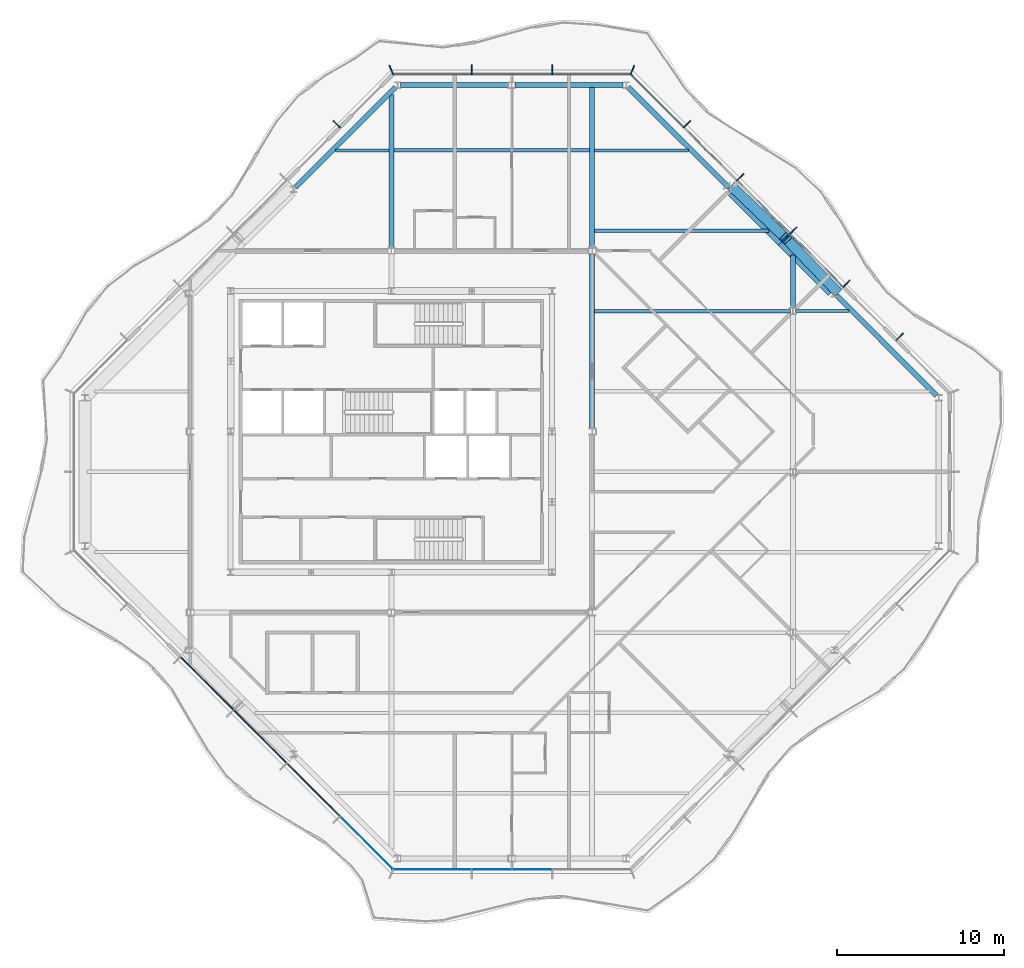
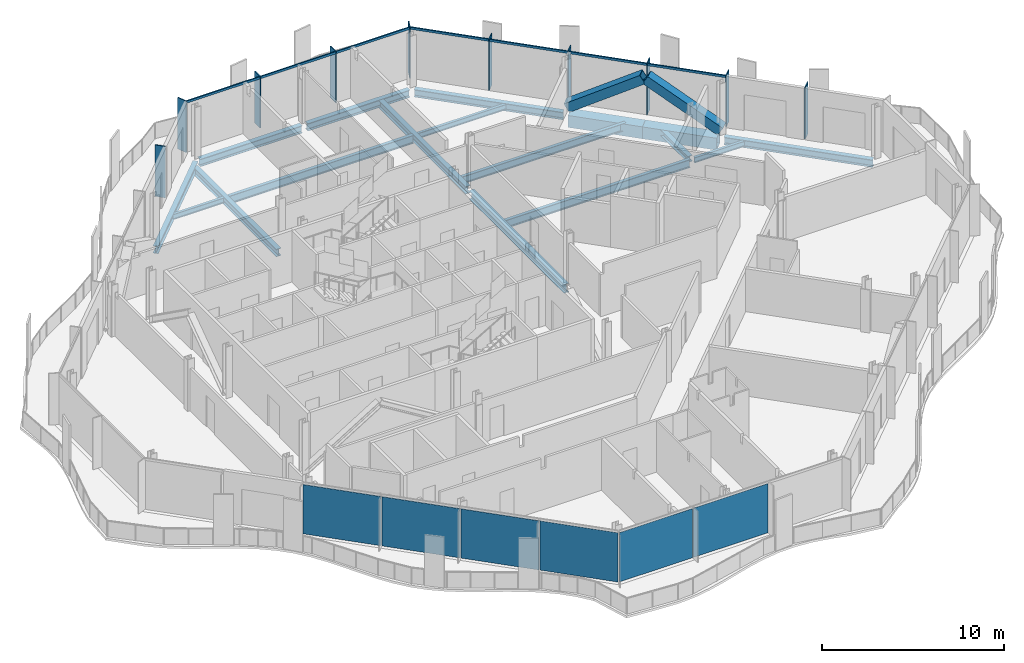
# One storey, part 5 of 16: 19 members, 17 beams, 6 plates, 5 elements without a shape of their own.
"""IFC4 building model written with IfcOpenShell, lengths in metres."""

from ifc_helpers import new_model, si_unit, direction, frame, origin, origin_2d, place, context, subcontext, project, spatial, rectangle, hollow_rectangle, i_section, extrude, material, layer, layer_set, material_profile, profile_set, type_object, element, aggregate, save


model = new_model("IFC4")

# Units and contexts
model_context = context("Model", 3, precision=1e-05, world=origin(), true_north=direction((0.0, 1.0)))
body_context = subcontext(model_context, "Body", "Model", "MODEL_VIEW")
ifc_project = project(units=[si_unit("LENGTHUNIT", "METRE"), si_unit("AREAUNIT", "SQUARE_METRE"), si_unit("VOLUMEUNIT", "CUBIC_METRE"), si_unit("PLANEANGLEUNIT", "RADIAN"), si_unit("MASSUNIT", "GRAM", prefix="KILO")], contexts=[model_context])

# Site, building, storey
site_placement = place(None, origin())
site = spatial("IfcSite", under=ifc_project, at=site_placement, CompositionType="ELEMENT")
building_placement = place(site_placement, origin())
building = spatial("IfcBuilding", under=site, at=building_placement, Name="Cairn Pilgrim Tower", CompositionType="ELEMENT")
storey_placement = place(building_placement, frame((0.0, 0.0, 285.0)))
storey = spatial("IfcBuildingStorey", under=building, at=storey_placement, Name="L73", CompositionType="ELEMENT", Elevation=285.0)

# Members
ifc_material_1 = material(Name="Structural steel S460M", Category="steel")
ifc_material_profile_1 = material_profile(ifc_material_1, hollow_rectangle(XDim=0.60009765625, YDim=0.60009765625, WallThickness=0.034912109375, at=origin_2d()), Name="BOX 600x600x35")
ifc_profile_set_1 = profile_set([ifc_material_profile_1], Name="Structural steel S460M")
member_type_1 = type_object("IfcMemberType", Name="BOX 600x600x35 BRACE", PredefinedType="BRACE", material=ifc_profile_set_1)
for number, where, z_axis, x_axis, name in (
    (1, (33.78759765625, 10.80224609375, 0.14990234375), (-0.59143769276, 0.613678385942, 0.52306815446), (-0.720033989027, -0.693938797478, 0.0), "XB-NE2-NE3-1"),
    (2, (27.602294921875, 16.98779296875, 0.14990234375), (0.613660799233, -0.591469196702, 0.523053164447), (0.693968270733, 0.720005582767, 0.0), "XB-NE2-NE3-2"),
):
    element("IfcMember", number, at=place(storey_placement, frame(where, z_axis=z_axis, x_axis=x_axis)), inside=storey, type_object=member_type_1, Name=name, PredefinedType="BRACE", context=body_context, shape_type="SweptSolid", body=[
        extrude(hollow_rectangle(XDim=0.60009765625, YDim=0.60009765625, WallThickness=0.034912109375, at=origin_2d()), origin(), (0.0, 0.0, 1.0), 5.03857421875),
    ])

# Beams
ifc_material_2 = material(Name="Structural steel S355J2", Category="steel")
ifc_material_profile_2 = material_profile(ifc_material_2, hollow_rectangle(XDim=0.699951171875, YDim=0.800048828125, WallThickness=0.0400390625, at=origin_2d()), Name="BOX 700x800x40")
ifc_profile_set_2 = profile_set([ifc_material_profile_2], Name="Structural steel S355J2")
beam_type_1 = type_object("IfcBeamType", Name="BOX 700x800x40 RING GIRDER", PredefinedType="SPANDREL", material=ifc_profile_set_2)
for number, where, z_axis, x_axis, name in (
    (3, (33.55126953125, 10.77587890625, -0.550048828125), (-0.707077889614, 0.707135671578, 0.0), (-0.707135671578, -0.707077889614, 0.0), "RG4-NE2-NE3-1"),
    (4, (30.563720703125, 13.763671875, -0.550048828125), (-0.707135671578, 0.707077889614, 0.0), (-0.707077889614, -0.707135671578, 0.0), "RG4-NE2-NE3-2"),
):
    element("IfcBeam", number, at=place(storey_placement, frame(where, z_axis=z_axis, x_axis=x_axis)), inside=storey, type_object=beam_type_1, Name=name, PredefinedType="SPANDREL", context=body_context, shape_type="SweptSolid", body=[
        extrude(hollow_rectangle(XDim=0.699951171875, YDim=0.800048828125, WallThickness=0.0400390625, at=origin_2d()), origin(), (0.0, 0.0, 1.0), 4.22509765625),
    ])

# Curtain wall, members
ifc_material_3 = material(Name="Aluminium alloy 6063-T6 bronze anodised with Bronze tinted laminated low-E glass 8+16+8.8", Category="aluminium")
curtain_wall_type = type_object("IfcCurtainWallType", Name="CROWN CURTAIN WALL", PredefinedType="NOTDEFINED", material=ifc_material_3)
curtain_wall_1_placement = place(storey_placement, origin())
curtain_wall_1 = element("IfcCurtainWall", 5, at=curtain_wall_1_placement, inside=storey, type_object=curtain_wall_type, Name="Crown Curtain Wall NE", PredefinedType="NOTDEFINED")
ifc_material_4 = material(Name="Aluminium alloy 6063-T6 bronze anodised", Category="aluminium")
ifc_material_profile_3 = material_profile(ifc_material_4, rectangle(XDim=0.60009765625, YDim=0.06005859375, at=origin_2d()), Name="FIN MULLION 60x600 BRONZE")
ifc_profile_set_3 = profile_set([ifc_material_profile_3], Name="Aluminium alloy 6063-T6 bronze anodised")
member_type_2 = type_object("IfcMemberType", Name="FIN MULLION 60x600 BRONZE", PredefinedType="MULLION", material=ifc_profile_set_3)
member_1_placement = place(storey_placement, frame((37.5654296875, 8.06298828125, 0.0), z_axis=(0.0, 0.0, 1.0), x_axis=(0.707106781187, 0.707106781187, 0.0)))
member_1 = element("IfcMember", 6, at=member_1_placement, type_object=member_type_2, Name="Fin mullion NE2", PredefinedType="MULLION", context=body_context, shape_type="SweptSolid", body=[
    extrude(rectangle(XDim=0.60009765625, YDim=0.06005859375, at=origin_2d()), origin(), (0.0, 0.0, 1.0), 3.449951171875),
])
member_2_placement = place(storey_placement, frame((34.3896484375, 11.238525390625, 0.0), z_axis=(0.0, 0.0, 1.0), x_axis=(0.707106781187, 0.707106781187, 0.0)))
member_2 = element("IfcMember", 7, at=member_2_placement, type_object=member_type_2, Name="Fin mullion NE3", PredefinedType="MULLION", context=body_context, shape_type="SweptSolid", body=[
    extrude(rectangle(XDim=0.60009765625, YDim=0.06005859375, at=origin_2d()), origin(), (0.0, 0.0, 1.0), 3.449951171875),
])
member_3_placement = place(storey_placement, frame((31.214111328125, 14.4140625, 0.0), z_axis=(0.0, 0.0, 1.0), x_axis=(0.707106781187, 0.707106781187, 0.0)))
member_3 = element("IfcMember", 8, at=member_3_placement, type_object=member_type_2, Name="Fin mullion NE4", PredefinedType="MULLION", context=body_context, shape_type="SweptSolid", body=[
    extrude(rectangle(XDim=0.60009765625, YDim=0.06005859375, at=origin_2d()), origin(), (0.0, 0.0, 1.0), 3.449951171875),
])
member_4_placement = place(storey_placement, frame((28.03857421875, 17.58984375, 0.0), z_axis=(0.0, 0.0, 1.0), x_axis=(0.707106781187, 0.707106781187, 0.0)))
member_4 = element("IfcMember", 9, at=member_4_placement, type_object=member_type_2, Name="Fin mullion NE5", PredefinedType="MULLION", context=body_context, shape_type="SweptSolid", body=[
    extrude(rectangle(XDim=0.60009765625, YDim=0.06005859375, at=origin_2d()), origin(), (0.0, 0.0, 1.0), 3.449951171875),
])
member_5_placement = place(storey_placement, frame((24.863037109375, 20.765380859375, 0.0), z_axis=(0.0, 0.0, 1.0), x_axis=(0.707106781187, 0.707106781187, 0.0)))
member_5 = element("IfcMember", 10, at=member_5_placement, type_object=member_type_2, Name="Fin mullion NE6", PredefinedType="MULLION", context=body_context, shape_type="SweptSolid", body=[
    extrude(rectangle(XDim=0.60009765625, YDim=0.06005859375, at=origin_2d()), origin(), (0.0, 0.0, 1.0), 3.449951171875),
])

curtain_wall_2_placement = place(storey_placement, origin())
curtain_wall_2 = element("IfcCurtainWall", 11, at=curtain_wall_2_placement, inside=storey, type_object=curtain_wall_type, Name="Crown Curtain Wall N", PredefinedType="NOTDEFINED")
member_6_placement = place(storey_placement, frame((21.599853515625, 23.99951171875, 0.0), z_axis=(0.0, 0.0, 1.0), x_axis=(0.382683432365, 0.923879532511, 0.0)))
member_6 = element("IfcMember", 12, at=member_6_placement, type_object=member_type_2, Name="Fin mullion N1", PredefinedType="MULLION", context=body_context, shape_type="SweptSolid", body=[
    extrude(rectangle(XDim=0.60009765625, YDim=0.06005859375, at=origin_2d()), origin(), (0.0, 0.0, 1.0), 3.449951171875),
])
member_7_placement = place(storey_placement, frame((16.800048828125, 24.02001953125, 0.0), z_axis=(0.0, 0.0, 1.0), x_axis=(0.0, 1.0, 0.0)))
member_7 = element("IfcMember", 13, at=member_7_placement, type_object=member_type_2, Name="Fin mullion N2", PredefinedType="MULLION", context=body_context, shape_type="SweptSolid", body=[
    extrude(rectangle(XDim=0.60009765625, YDim=0.06005859375, at=origin_2d()), origin(), (0.0, 0.0, 1.0), 3.449951171875),
])
member_8_placement = place(storey_placement, frame((12.0, 24.02001953125, 0.0), z_axis=(0.0, 0.0, 1.0), x_axis=(0.0, 1.0, 0.0)))
member_8 = element("IfcMember", 14, at=member_8_placement, type_object=member_type_2, Name="Fin mullion N3", PredefinedType="MULLION", context=body_context, shape_type="SweptSolid", body=[
    extrude(rectangle(XDim=0.60009765625, YDim=0.06005859375, at=origin_2d()), origin(), (0.0, 0.0, 1.0), 3.449951171875),
])

curtain_wall_3_placement = place(storey_placement, origin())
curtain_wall_3 = element("IfcCurtainWall", 15, at=curtain_wall_3_placement, inside=storey, type_object=curtain_wall_type, Name="Crown Curtain Wall NW", PredefinedType="NOTDEFINED")
member_9_placement = place(storey_placement, frame((7.2001953125, 23.99951171875, 0.0), z_axis=(0.0, 0.0, 1.0), x_axis=(-0.382683432365, 0.923879532511, 0.0)))
member_9 = element("IfcMember", 16, at=member_9_placement, type_object=member_type_2, Name="Fin mullion NW1", PredefinedType="MULLION", context=body_context, shape_type="SweptSolid", body=[
    extrude(rectangle(XDim=0.60009765625, YDim=0.06005859375, at=origin_2d()), origin(), (0.0, 0.0, 1.0), 3.449951171875),
])
member_10_placement = place(storey_placement, frame((3.93701171875, 20.765380859375, 0.0), z_axis=(0.0, 0.0, 1.0), x_axis=(-0.707106781187, 0.707106781187, 0.0)))
member_10 = element("IfcMember", 17, at=member_10_placement, type_object=member_type_2, Name="Fin mullion NW2", PredefinedType="MULLION", context=body_context, shape_type="SweptSolid", body=[
    extrude(rectangle(XDim=0.60009765625, YDim=0.06005859375, at=origin_2d()), origin(), (0.0, 0.0, 1.0), 3.449951171875),
])
aggregate(curtain_wall_3, [member_9, member_10])

# Beams
ifc_material_profile_4 = material_profile(ifc_material_2, i_section(OverallWidth=0.300048828125, OverallDepth=0.39990234375, WebThickness=0.013427734375, FlangeThickness=0.02392578125, FilletRadius=0.027099609375, at=origin_2d()), Name="HEB 400")
ifc_profile_set_4 = profile_set([ifc_material_profile_4], Name="Structural steel S355J2")
beam_type_2 = type_object("IfcBeamType", Name="HEB 400 GIRDER", PredefinedType="BEAM", material=ifc_profile_set_4)
beam_1_placement = place(storey_placement, frame((31.199951171875, 9.797119140625, -0.35009765625), z_axis=(0.0, 1.0, 0.0), x_axis=(-1.0, 0.0, 0.0)))
element("IfcBeam", 18, at=beam_1_placement, inside=storey, type_object=beam_type_2, Name="PG5-4", PredefinedType="BEAM", context=body_context, shape_type="SweptSolid", body=[
    extrude(i_section(OverallWidth=0.300048828125, OverallDepth=0.39990234375, WebThickness=0.013427734375, FlangeThickness=0.02392578125, FilletRadius=0.027099609375, at=origin_2d()), origin(), (0.0, 0.0, 1.0), 3.14794921875),
])
ifc_material_profile_5 = material_profile(ifc_material_2, i_section(OverallWidth=0.300048828125, OverallDepth=0.5, WebThickness=0.014404296875, FlangeThickness=0.028076171875, FilletRadius=0.027099609375, at=origin_2d()), Name="HEB 500")
ifc_profile_set_5 = profile_set([ifc_material_profile_5], Name="Structural steel S355J2")
beam_type_3 = type_object("IfcBeamType", Name="HEB 500 GIRDER", PredefinedType="BEAM", material=ifc_profile_set_5)
beam_2_placement = place(storey_placement, frame((7.199951171875, 13.39697265625, -0.39990234375), z_axis=(0.0, 1.0, 0.0), x_axis=(-1.0, 0.0, 0.0)))
element("IfcBeam", 19, at=beam_2_placement, inside=storey, type_object=beam_type_3, Name="PG3-2", PredefinedType="BEAM", context=body_context, shape_type="SweptSolid", body=[
    extrude(i_section(OverallWidth=0.300048828125, OverallDepth=0.5, WebThickness=0.014404296875, FlangeThickness=0.028076171875, FilletRadius=0.027099609375, at=origin_2d()), origin(), (0.0, 0.0, 1.0), 9.148193359375),
])
beam_3_placement = place(storey_placement, frame((19.199951171875, 13.39697265625, -0.39990234375), z_axis=(0.0, 1.0, 0.0), x_axis=(-1.0, 0.0, 0.0)))
element("IfcBeam", 20, at=beam_3_placement, inside=storey, type_object=beam_type_3, Name="PG4-4", PredefinedType="BEAM", context=body_context, shape_type="SweptSolid", body=[
    extrude(i_section(OverallWidth=0.300048828125, OverallDepth=0.5, WebThickness=0.014404296875, FlangeThickness=0.028076171875, FilletRadius=0.027099609375, at=origin_2d()), origin(), (0.0, 0.0, 1.0), 9.5830078125),
])
ifc_material_profile_6 = material_profile(ifc_material_2, i_section(OverallWidth=0.300048828125, OverallDepth=0.5, WebThickness=0.014404296875, FlangeThickness=0.028076171875, FilletRadius=0.027099609375, at=origin_2d()), Name="HEB 500")
ifc_profile_set_6 = profile_set([ifc_material_profile_6], Name="Structural steel S355J2")
beam_type_4 = type_object("IfcBeamType", Name="HEB 500 RING GIRDER", PredefinedType="SPANDREL", material=ifc_profile_set_6)
for number, where, z_axis, x_axis, name in (
    (21, (39.775634765625, 4.551513671875, -0.39990234375), (-0.707092335843, 0.707121226235, 0.0), (-0.707121226235, -0.707092335843, 0.0), "RG4-NE1-NE2"),
    (22, (27.3271484375, 17.000244140625, -0.39990234375), (-0.707121226235, 0.707092335843, 0.0), (-0.707092335843, -0.707121226235, 0.0), "RG4-NE3-N1"),
):
    element("IfcBeam", number, at=place(storey_placement, frame(where, z_axis=z_axis, x_axis=x_axis)), inside=storey, type_object=beam_type_4, Name=name, PredefinedType="SPANDREL", context=body_context, shape_type="SweptSolid", body=[
        extrude(i_section(OverallWidth=0.300048828125, OverallDepth=0.5, WebThickness=0.014404296875, FlangeThickness=0.028076171875, FilletRadius=0.027099609375, at=origin_2d()), origin(), (0.0, 0.0, 1.0), 8.45068359375),
    ])
for number, where, z_axis, x_axis, name in (
    (23, (21.05126953125, 23.10009765625, -0.39990234375), (-1.0, 0.0, 0.0), (0.0, -1.0, 0.0), "RG4-N1-N2"),
    (24, (14.22412109375, 23.10009765625, -0.39990234375), (-1.0, 0.0, 0.0), (0.0, -1.0, 0.0), "RG4-N2-NW1"),
):
    element("IfcBeam", number, at=place(storey_placement, frame(where, z_axis=z_axis, x_axis=x_axis)), inside=storey, type_object=beam_type_4, Name=name, PredefinedType="SPANDREL", context=body_context, shape_type="SweptSolid", body=[
        extrude(i_section(OverallWidth=0.300048828125, OverallDepth=0.5, WebThickness=0.014404296875, FlangeThickness=0.028076171875, FilletRadius=0.027099609375, at=origin_2d()), origin(), (0.0, 0.0, 1.0), 6.475341796875),
    ])
beam_4_placement = place(storey_placement, frame((7.448486328125, 22.9755859375, -0.39990234375), z_axis=(-0.707121226235, -0.707092335843, 0.0), x_axis=(0.707092335843, -0.707121226235, 0.0)))
element("IfcBeam", 25, at=beam_4_placement, inside=storey, type_object=beam_type_4, Name="RG4-NW1-NW2", PredefinedType="SPANDREL", context=body_context, shape_type="SweptSolid", body=[
    extrude(i_section(OverallWidth=0.300048828125, OverallDepth=0.5, WebThickness=0.014404296875, FlangeThickness=0.028076171875, FilletRadius=0.027099609375, at=origin_2d()), origin(), (0.0, 0.0, 1.0), 8.45068359375),
])
ifc_material_profile_7 = material_profile(ifc_material_2, i_section(OverallWidth=0.300048828125, OverallDepth=0.60009765625, WebThickness=0.015380859375, FlangeThickness=0.030029296875, FilletRadius=0.027099609375, at=origin_2d()), Name="HEB 600")
ifc_profile_set_7 = profile_set([ifc_material_profile_7], Name="Structural steel S355J2")
beam_type_5 = type_object("IfcBeamType", Name="HEB 600 GIRDER", PredefinedType="BEAM", material=ifc_profile_set_7)
beam_5_placement = place(storey_placement, frame((19.199951171875, 2.596923828125, -0.449951171875), z_axis=(0.0, 1.0, 0.0), x_axis=(-1.0, 0.0, 0.0)))
element("IfcBeam", 26, at=beam_5_placement, inside=storey, type_object=beam_type_5, Name="PG4-3", PredefinedType="BEAM", context=body_context, shape_type="SweptSolid", body=[
    extrude(i_section(OverallWidth=0.300048828125, OverallDepth=0.60009765625, WebThickness=0.015380859375, FlangeThickness=0.030029296875, FilletRadius=0.027099609375, at=origin_2d()), origin(), (0.0, 0.0, 1.0), 10.406005859375),
])
ifc_material_profile_8 = material_profile(ifc_material_2, i_section(OverallWidth=0.169921875, OverallDepth=0.360107421875, WebThickness=0.008056640625, FlangeThickness=0.0126953125, FilletRadius=0.01806640625, at=origin_2d()), Name="IPE 360")
ifc_profile_set_8 = profile_set([ifc_material_profile_8], Name="Structural steel S355J2")
beam_type_6 = type_object("IfcBeamType", Name="IPE 360 SECONDARY BEAM", PredefinedType="JOIST", material=ifc_profile_set_8)
for number, where, z_axis, x_axis, name in (
    (27, (31.35009765625, 9.60009765625, -0.330078125), (1.0, 0.0, 0.0), (0.0, 1.0, 0.0), "SB7-2"),
    (28, (3.85498046875, 19.199951171875, -0.330078125), (1.0, 0.0, 0.0), (0.0, 1.0, 0.0), "SB9-1"),
):
    element("IfcBeam", number, at=place(storey_placement, frame(where, z_axis=z_axis, x_axis=x_axis)), inside=storey, type_object=beam_type_6, Name=name, PredefinedType="JOIST", context=body_context, shape_type="SweptSolid", body=[
        extrude(i_section(OverallWidth=0.169921875, OverallDepth=0.360107421875, WebThickness=0.008056640625, FlangeThickness=0.0126953125, FilletRadius=0.01806640625, at=origin_2d()), origin(), (0.0, 0.0, 1.0), 3.195068359375),
    ])
beam_6_placement = place(storey_placement, frame((19.35009765625, 19.199951171875, -0.330078125), z_axis=(1.0, 0.0, 0.0), x_axis=(0.0, 1.0, 0.0)))
element("IfcBeam", 29, at=beam_6_placement, inside=storey, type_object=beam_type_6, Name="SB9-3", PredefinedType="JOIST", context=body_context, shape_type="SweptSolid", body=[
    extrude(i_section(OverallWidth=0.169921875, OverallDepth=0.360107421875, WebThickness=0.008056640625, FlangeThickness=0.0126953125, FilletRadius=0.01806640625, at=origin_2d()), origin(), (0.0, 0.0, 1.0), 5.594970703125),
])
ifc_material_profile_9 = material_profile(ifc_material_2, i_section(OverallWidth=0.199951171875, OverallDepth=0.5, WebThickness=0.01025390625, FlangeThickness=0.01611328125, FilletRadius=0.02099609375, at=origin_2d()), Name="IPE 500")
ifc_profile_set_9 = profile_set([ifc_material_profile_9], Name="Structural steel S355J2")
beam_type_7 = type_object("IfcBeamType", Name="IPE 500 SECONDARY BEAM", PredefinedType="JOIST", material=ifc_profile_set_9)
beam_7_placement = place(storey_placement, frame((19.35009765625, 14.39990234375, -0.39990234375), z_axis=(1.0, 0.0, 0.0), x_axis=(0.0, 1.0, 0.0)))
element("IfcBeam", 30, at=beam_7_placement, inside=storey, type_object=beam_type_7, Name="SB8-1", PredefinedType="JOIST", context=body_context, shape_type="SweptSolid", body=[
    extrude(i_section(OverallWidth=0.199951171875, OverallDepth=0.5, WebThickness=0.01025390625, FlangeThickness=0.01611328125, FilletRadius=0.02099609375, at=origin_2d()), origin(), (0.0, 0.0, 1.0), 10.39501953125),
])
ifc_material_profile_10 = material_profile(ifc_material_2, i_section(OverallWidth=0.2099609375, OverallDepth=0.550048828125, WebThickness=0.010986328125, FlangeThickness=0.01708984375, FilletRadius=0.02392578125, at=origin_2d()), Name="IPE 550")
ifc_profile_set_10 = profile_set([ifc_material_profile_10], Name="Structural steel S355J2")
beam_type_8 = type_object("IfcBeamType", Name="IPE 550 SECONDARY BEAM", PredefinedType="JOIST", material=ifc_profile_set_10)
for number, where, z_axis, x_axis, name in (
    (31, (19.35009765625, 9.60009765625, -0.425048828125), (1.0, 0.0, 0.0), (0.0, 1.0, 0.0), "SB7-1"),
    (32, (7.35009765625, 19.199951171875, -0.425048828125), (1.0, 0.0, 0.0), (0.0, 1.0, 0.0), "SB9-2"),
):
    element("IfcBeam", number, at=place(storey_placement, frame(where, z_axis=z_axis, x_axis=x_axis)), inside=storey, type_object=beam_type_8, Name=name, PredefinedType="JOIST", context=body_context, shape_type="SweptSolid", body=[
        extrude(i_section(OverallWidth=0.2099609375, OverallDepth=0.550048828125, WebThickness=0.010986328125, FlangeThickness=0.01708984375, FilletRadius=0.02392578125, at=origin_2d()), origin(), (0.0, 0.0, 1.0), 11.699951171875),
    ])

# Member
ifc_material_profile_11 = material_profile(ifc_material_4, rectangle(XDim=0.080078125, YDim=0.14990234375, at=origin_2d()), Name="TRANSOM 80x150 BRONZE")
ifc_profile_set_11 = profile_set([ifc_material_profile_11], Name="Aluminium alloy 6063-T6 bronze anodised")
member_type_3 = type_object("IfcMemberType", Name="TRANSOM 80x150 BRONZE", PredefinedType="USERDEFINED", material=ifc_profile_set_11)
member_11_placement = place(storey_placement, frame((34.177490234375, 11.06884765625, 3.375), z_axis=(-0.707106781187, 0.707106781187, 0.0), x_axis=(-0.707106781187, -0.707106781187, 0.0)))
member_11 = element("IfcMember", 33, at=member_11_placement, type_object=member_type_3, Name="Transom NE3", ObjectType="TRANSOM", PredefinedType="USERDEFINED", context=body_context, shape_type="SweptSolid", body=[
    extrude(rectangle(XDim=0.080078125, YDim=0.14990234375, at=origin_2d()), origin(), (0.0, 0.0, 1.0), 4.430908203125),
])

member_12_placement = place(storey_placement, frame((31.001953125, 14.244384765625, 3.375), z_axis=(-0.707079231393, 0.707134329907, 0.0), x_axis=(-0.707134329907, -0.707079231393, 0.0)))
member_12 = element("IfcMember", 34, at=member_12_placement, type_object=member_type_3, Name="Transom NE4", ObjectType="TRANSOM", PredefinedType="USERDEFINED", context=body_context, shape_type="SweptSolid", body=[
    extrude(rectangle(XDim=0.080078125, YDim=0.14990234375, at=origin_2d()), origin(), (0.0, 0.0, 1.0), 4.430908203125),
])

member_13_placement = place(storey_placement, frame((27.826416015625, 17.419921875, 3.375), z_axis=(-0.707079231393, 0.707134329907, 0.0), x_axis=(-0.707134329907, -0.707079231393, 0.0)))
member_13 = element("IfcMember", 35, at=member_13_placement, type_object=member_type_3, Name="Transom NE5", ObjectType="TRANSOM", PredefinedType="USERDEFINED", context=body_context, shape_type="SweptSolid", body=[
    extrude(rectangle(XDim=0.080078125, YDim=0.14990234375, at=origin_2d()), origin(), (0.0, 0.0, 1.0), 4.430908203125),
])

member_14_placement = place(storey_placement, frame((24.65087890625, 20.595703125, 3.375), z_axis=(-0.707134392299, 0.707079168996, 0.0), x_axis=(-0.707079168996, -0.707134392299, 0.0)))
member_14 = element("IfcMember", 36, at=member_14_placement, type_object=member_type_3, Name="Transom NE6", ObjectType="TRANSOM", PredefinedType="USERDEFINED", context=body_context, shape_type="SweptSolid", body=[
    extrude(rectangle(XDim=0.080078125, YDim=0.14990234375, at=origin_2d()), origin(), (0.0, 0.0, 1.0), 4.4208984375),
])

aggregate(curtain_wall_1, [member_1, member_2, member_3, member_4, member_5, member_11, member_12, member_13, member_14])

member_15_placement = place(storey_placement, frame((21.45654296875, 23.75, 3.375), z_axis=(-1.0, 0.0, 0.0), x_axis=(0.0, -1.0, 0.0)))
member_15 = element("IfcMember", 37, at=member_15_placement, type_object=member_type_3, Name="Transom N1", ObjectType="TRANSOM", PredefinedType="USERDEFINED", context=body_context, shape_type="SweptSolid", body=[
    extrude(rectangle(XDim=0.080078125, YDim=0.14990234375, at=origin_2d()), origin(), (0.0, 0.0, 1.0), 4.62646484375),
])

member_16_placement = place(storey_placement, frame((16.77001953125, 23.75, 3.375), z_axis=(-1.0, 0.0, 0.0), x_axis=(0.0, -1.0, 0.0)))
member_16 = element("IfcMember", 38, at=member_16_placement, type_object=member_type_3, Name="Transom N2", ObjectType="TRANSOM", PredefinedType="USERDEFINED", context=body_context, shape_type="SweptSolid", body=[
    extrude(rectangle(XDim=0.080078125, YDim=0.14990234375, at=origin_2d()), origin(), (0.0, 0.0, 1.0), 4.739990234375),
])

member_17_placement = place(storey_placement, frame((11.969970703125, 23.75, 3.375), z_axis=(-1.0, 0.0, 0.0), x_axis=(0.0, -1.0, 0.0)))
member_17 = element("IfcMember", 39, at=member_17_placement, type_object=member_type_3, Name="Transom N3", ObjectType="TRANSOM", PredefinedType="USERDEFINED", context=body_context, shape_type="SweptSolid", body=[
    extrude(rectangle(XDim=0.080078125, YDim=0.14990234375, at=origin_2d()), origin(), (0.0, 0.0, 1.0), 4.62646484375),
])

aggregate(curtain_wall_2, [member_6, member_7, member_8, member_15, member_16, member_17])

# Curtain wall, plates
curtain_wall_4_placement = place(storey_placement, origin())
curtain_wall_4 = element("IfcCurtainWall", 40, at=curtain_wall_4_placement, inside=storey, type_object=curtain_wall_type, Name="Crown Curtain Wall SW", PredefinedType="NOTDEFINED")
ifc_material_5 = material(Name="Bronze anodised aluminium spandrel panel with mineral wool insulation", Category="aluminium")
ifc_layer_1 = layer(ifc_material_5, 0.06005859375)
ifc_layer_set_1 = layer_set([ifc_layer_1], Name="SPANDREL PANEL 4431x3300")
plate_type_1 = type_object("IfcPlateType", Name="SPANDREL PANEL 4431x3300", PredefinedType="CURTAIN_PANEL", material=ifc_layer_set_1)
plate_1_placement = place(storey_placement, frame((-3.81103515625, -12.635498046875, 0.0), z_axis=(0.0, 0.0, 1.0), x_axis=(0.707106781187, -0.707106781187, 0.0)))
plate_1 = element("IfcPlate", 41, at=plate_1_placement, type_object=plate_type_1, Name="Spandrel Panel SW3-1", PredefinedType="CURTAIN_PANEL", context=body_context, shape_type="SweptSolid", body=[
    extrude(rectangle(XDim=4.430908203125, YDim=0.06005859375, at=origin_2d()), origin(), (0.0, 0.0, 1.0), 3.300048828125),
])
plate_2_placement = place(storey_placement, frame((-0.635498046875, -15.81103515625, 0.0), z_axis=(0.0, 0.0, 1.0), x_axis=(0.707106781187, -0.707106781187, 0.0)))
plate_2 = element("IfcPlate", 42, at=plate_2_placement, type_object=plate_type_1, Name="Spandrel Panel SW4-1", PredefinedType="CURTAIN_PANEL", context=body_context, shape_type="SweptSolid", body=[
    extrude(rectangle(XDim=4.430908203125, YDim=0.06005859375, at=origin_2d()), origin(), (0.0, 0.0, 1.0), 3.300048828125),
])
plate_3_placement = place(storey_placement, frame((2.540283203125, -18.986572265625, 0.0), z_axis=(0.0, 0.0, 1.0), x_axis=(0.707106781187, -0.707106781187, 0.0)))
plate_3 = element("IfcPlate", 43, at=plate_3_placement, type_object=plate_type_1, Name="Spandrel Panel SW5-1", PredefinedType="CURTAIN_PANEL", context=body_context, shape_type="SweptSolid", body=[
    extrude(rectangle(XDim=4.430908203125, YDim=0.06005859375, at=origin_2d()), origin(), (0.0, 0.0, 1.0), 3.300048828125),
])
ifc_material_6 = material(Name="Bronze tinted laminated low-E glass 8+16+8.8", Category="glass")
ifc_layer_2 = layer(ifc_material_6, 0.033935546875)
ifc_layer_set_2 = layer_set([ifc_layer_2], Name="VISION GLAZING 4421x3300")
plate_type_2 = type_object("IfcPlateType", Name="VISION GLAZING 4421x3300", PredefinedType="CURTAIN_PANEL", material=ifc_layer_set_2)
plate_4_placement = place(storey_placement, frame((5.712158203125, -22.15869140625, 0.0), z_axis=(0.0, 0.0, 1.0), x_axis=(0.707106781187, -0.707106781187, 0.0)))
plate_4 = element("IfcPlate", 44, at=plate_4_placement, type_object=plate_type_2, Name="Vision Glazing SW6-1", PredefinedType="CURTAIN_PANEL", context=body_context, shape_type="SweptSolid", body=[
    extrude(rectangle(XDim=4.4208984375, YDim=0.033935546875, at=origin_2d()), origin(), (0.0, 0.0, 1.0), 3.300048828125),
])
aggregate(curtain_wall_4, [plate_1, plate_2, plate_3, plate_4])

curtain_wall_5_placement = place(storey_placement, origin())
curtain_wall_5 = element("IfcCurtainWall", 45, at=curtain_wall_5_placement, inside=storey, type_object=curtain_wall_type, Name="Crown Curtain Wall S", PredefinedType="NOTDEFINED")
ifc_layer_3 = layer(ifc_material_6, 0.033935546875)
ifc_layer_set_3 = layer_set([ifc_layer_3], Name="VISION GLAZING 4626x3300")
plate_type_3 = type_object("IfcPlateType", Name="VISION GLAZING 4626x3300", PredefinedType="CURTAIN_PANEL", material=ifc_layer_set_3)
plate_5_placement = place(storey_placement, frame((9.65673828125, -23.75, 0.0), z_axis=(0.0, 0.0, 1.0), x_axis=(1.0, 0.0, 0.0)))
plate_5 = element("IfcPlate", 46, at=plate_5_placement, type_object=plate_type_3, Name="Vision Glazing S1-1", PredefinedType="CURTAIN_PANEL", context=body_context, shape_type="SweptSolid", body=[
    extrude(rectangle(XDim=4.62646484375, YDim=0.033935546875, at=origin_2d()), origin(), (0.0, 0.0, 1.0), 3.300048828125),
])
ifc_layer_4 = layer(ifc_material_6, 0.033935546875)
ifc_layer_set_4 = layer_set([ifc_layer_4], Name="VISION GLAZING 4740x3300")
plate_type_4 = type_object("IfcPlateType", Name="VISION GLAZING 4740x3300", PredefinedType="CURTAIN_PANEL", material=ifc_layer_set_4)
plate_6_placement = place(storey_placement, frame((14.39990234375, -23.75, 0.0), z_axis=(0.0, 0.0, 1.0), x_axis=(1.0, 0.0, 0.0)))
plate_6 = element("IfcPlate", 47, at=plate_6_placement, type_object=plate_type_4, Name="Vision Glazing S2-1", PredefinedType="CURTAIN_PANEL", context=body_context, shape_type="SweptSolid", body=[
    extrude(rectangle(XDim=4.739990234375, YDim=0.033935546875, at=origin_2d()), origin(), (0.0, 0.0, 1.0), 3.300048828125),
])
aggregate(curtain_wall_5, [plate_5, plate_6])

save(model, "model.ifc")
